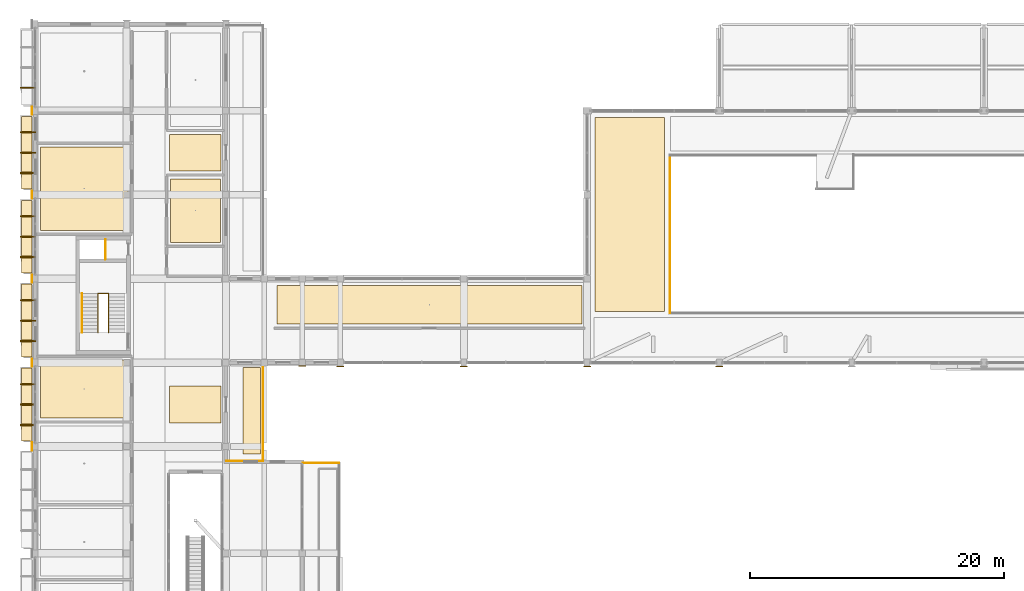
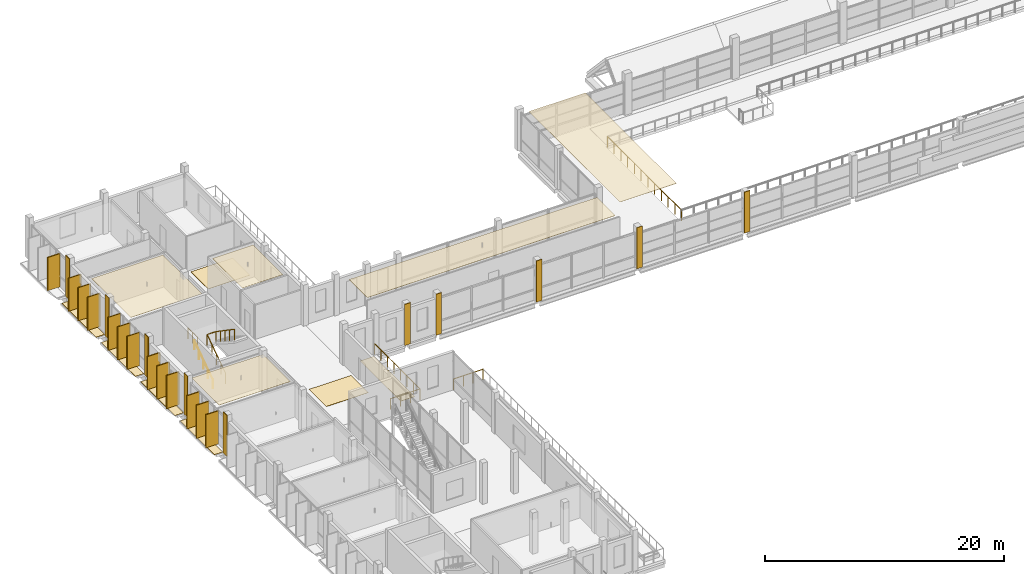
# One storey, part 76 of 85: 35 coverings, 13 shading devices, 7 railings.
"""IFC4 building model written with IfcOpenShell, lengths in metres."""

import ifcopenshell
import ifcopenshell.guid

model = None  # the IFC model being written
_history = None  # IfcOwnerHistory: only IFC2X3 demands one
_inside = {}  # id of a spatial element -> (the spatial element, [elements in it])
_under = {}  # id of a project, library or spatial element -> (it, [spatial elements below it])
_declared = {}  # id of a project -> (the project, [libraries it declares])
_typed = {}  # id of a type object -> (the type object, [elements of that type])
_made_of = {}  # id of a material, layer set ... -> (it, [elements and type objects made of it])


def new_model(schema):
    """Start an empty IFC model of exactly this schema.

    Asked for "IFC4X3", IfcOpenShell would pick the latest addendum, in which some entities
    have other attributes; the version numbers below select the first issue.
    IFC2X3 requires an IfcOwnerHistory on every rooted entity: one is made here for all.
    """
    global model, _history
    if schema == "IFC4X3":
        model = ifcopenshell.file(schema_version=(4, 3, 0, 0))
    else:
        model = ifcopenshell.file(schema=schema)
    _inside.clear()
    _under.clear()
    _declared.clear()
    _typed.clear()
    _made_of.clear()
    _history = None
    if model.schema == "IFC2X3":
        org = make("IfcOrganization", Name="unknown")
        user = make(
            "IfcPersonAndOrganization",
            ThePerson=make("IfcPerson", FamilyName="unknown"),
            TheOrganization=org,
        )
        app = make(
            "IfcApplication",
            ApplicationDeveloper=org,
            Version="unknown",
            ApplicationFullName="unknown",
            ApplicationIdentifier="unknown",
        )
        _history = make(
            "IfcOwnerHistory",
            OwningUser=user,
            OwningApplication=app,
            ChangeAction="ADDED",
            CreationDate=0,
        )
    return model


def make(cls, **values):
    """One entity of the class cls with the attributes given. An attribute that is None is left unset."""
    return model.create_entity(
        cls, **{name: value for name, value in values.items() if value is not None}
    )


def rooted(cls, **values):
    """An entity with a GlobalId (a new one), such as an element, a storey or a relation."""
    return make(cls, GlobalId=ifcopenshell.guid.new(), OwnerHistory=_history, **values)


def si_unit(unit_type, name, prefix=None):
    """IfcSIUnit, for example si_unit("LENGTHUNIT", "METRE", prefix="MILLI")."""
    return make("IfcSIUnit", UnitType=unit_type, Prefix=prefix, Name=name)


def derived_unit(unit_type, elements):
    """IfcDerivedUnit: a product of units, each with its exponent."""
    return make(
        "IfcDerivedUnit",
        Elements=[
            make("IfcDerivedUnitElement", Unit=unit, Exponent=power)
            for unit, power in elements
        ],
        UnitType=unit_type,
    )


def assignment(units):
    """IfcUnitAssignment: the units of a project."""
    return None if units is None else make("IfcUnitAssignment", Units=units)


def point(xyz):
    """IfcCartesianPoint."""
    return None if xyz is None else make("IfcCartesianPoint", Coordinates=xyz)


def direction(xyz):
    """IfcDirection."""
    return None if xyz is None else make("IfcDirection", DirectionRatios=xyz)


def frame(location, z_axis=None, x_axis=None):
    """IfcAxis2Placement3D, a coordinate frame: its origin and axes. An axis left out is left unset."""
    return make(
        "IfcAxis2Placement3D",
        Location=point(location),
        Axis=direction(z_axis),
        RefDirection=direction(x_axis),
    )


def frame_2d(location, x_axis=None):
    """IfcAxis2Placement2D, a coordinate frame in the plane: its origin and x axis."""
    return make(
        "IfcAxis2Placement2D", Location=point(location), RefDirection=direction(x_axis)
    )


def origin():
    """The frame at (0, 0, 0) with its axes left unset."""
    return frame((0.0, 0.0, 0.0))


def origin_2d():
    """The frame at (0, 0) in the plane with its x axis left unset."""
    return frame_2d((0.0, 0.0))


def place(relative_to, where):
    """IfcLocalPlacement: puts the frame where relative to a parent placement (None: the world)."""
    return make(
        "IfcLocalPlacement", PlacementRelTo=relative_to, RelativePlacement=where
    )


def context(
    kind, dimensions, precision=None, world=None, true_north=None, identifier=None
):
    """IfcGeometricRepresentationContext, for example the 3D "Model" context."""
    return make(
        "IfcGeometricRepresentationContext",
        ContextIdentifier=identifier,
        ContextType=kind,
        CoordinateSpaceDimension=dimensions,
        Precision=precision,
        WorldCoordinateSystem=world,
        TrueNorth=true_north,
    )


def subcontext(parent, identifier, kind, view, scale=None):
    """IfcGeometricRepresentationSubContext, for example "Body" below "Model"."""
    return make(
        "IfcGeometricRepresentationSubContext",
        ContextIdentifier=identifier,
        ContextType=kind,
        ParentContext=parent,
        TargetScale=scale,
        TargetView=view,
    )


def project(units=None, contexts=None):
    """IfcProject with its units and contexts."""
    return rooted(
        "IfcProject",
        Name="project",
        RepresentationContexts=contexts,
        UnitsInContext=assignment(units),
    )


def spatial(cls, under=None, at=None, **own):
    """A site, building, storey or space (cls), placed at a placement, below another one or the project."""
    s = rooted(cls, ObjectPlacement=at, **own)
    if under is not None:
        _under.setdefault(under.id(), (under, []))[1].append(s)
    return s


def polyline(points):
    """IfcPolyline through the points."""
    return make("IfcPolyline", Points=[point(p) for p in points])


def profile(cls, at=None, kind="AREA", **sizes):
    """A parametric profile (cls). Its sizes go by their IFC names, for example OverallWidth=200.0."""
    return make(cls, ProfileType=kind, Position=at, **sizes)


def rectangle(**sizes):
    """IfcRectangleProfileDef."""
    return profile("IfcRectangleProfileDef", **sizes)


def circle(**sizes):
    """IfcCircleProfileDef."""
    return profile("IfcCircleProfileDef", **sizes)


def outline(outer, holes=None, kind="AREA"):
    """IfcArbitraryClosedProfileDef: a profile drawn as a closed curve; with holes, ...WithVoids."""
    if holes is None:
        return make("IfcArbitraryClosedProfileDef", ProfileType=kind, OuterCurve=outer)
    return make(
        "IfcArbitraryProfileDefWithVoids",
        ProfileType=kind,
        OuterCurve=outer,
        InnerCurves=holes,
    )


def extrude(swept, where, along, depth):
    """IfcExtrudedAreaSolid: the profile swept, set in the frame where, extruded along a direction by depth."""
    return make(
        "IfcExtrudedAreaSolid",
        SweptArea=swept,
        Position=where,
        ExtrudedDirection=direction(along),
        Depth=depth,
    )


def shape(context_of_items, identifier, shape_type, items):
    """IfcShapeRepresentation: the items that make up one representation, for example the "Body"."""
    return make(
        "IfcShapeRepresentation",
        ContextOfItems=context_of_items,
        RepresentationIdentifier=identifier,
        RepresentationType=shape_type,
        Items=items,
    )


def material(Name=None, Category=None):
    """IfcMaterial."""
    return make("IfcMaterial", Name=Name, Category=Category)


def layer(
    of_material, thickness, ventilated=None, Name=None, Category=None, Priority=None
):
    """IfcMaterialLayer: one layer of a wall or slab, of a material (None: an air gap)."""
    return make(
        "IfcMaterialLayer",
        Material=of_material,
        LayerThickness=thickness,
        IsVentilated=ventilated,
        Name=Name,
        Category=Category,
        Priority=Priority,
    )


def layer_set(layers, Name=None):
    """IfcMaterialLayerSet."""
    return make("IfcMaterialLayerSet", MaterialLayers=layers, LayerSetName=Name)


def made_of(thing, what):
    """Note that an element or type object is made of a material, layer set ...; save() writes the relation."""
    if what is not None:
        _made_of.setdefault(what.id(), (what, []))[1].append(thing)
    return thing


def type_object(cls, material=None, **own):
    """A type object (cls), such as IfcWallType, which elements share."""
    return made_of(rooted(cls, **own), material)


def element(
    cls,
    number,
    at=None,
    inside=None,
    cuts=None,
    type_object=None,
    material=None,
    context=None,
    identifier="Body",
    shape_type=None,
    held_by="IfcProductDefinitionShape",
    body=None,
    shapes=None,
    **own,
):
    """One element of the class cls, such as IfcWall. Its Tag is "e" and its number.

    at: its placement. inside: the storey or other place that contains it. cuts: it is an
    opening in that element (IfcRelVoidsElement). A single representation is given by context,
    identifier, shape_type and body (its items); several are given by shapes. held_by: the class
    of the entity that holds the representations. save() writes the other relations.
    """
    e = rooted(cls, Tag="e%d" % number, ObjectPlacement=at, **own)
    if body is not None:
        shapes = [shape(context, identifier, shape_type, body)]
    if shapes is not None:
        e.Representation = make(held_by, Representations=shapes)
    if inside is not None:
        _inside.setdefault(inside.id(), (inside, []))[1].append(e)
    if cuts is not None:
        rooted(
            "IfcRelVoidsElement", RelatingBuildingElement=cuts, RelatedOpeningElement=e
        )
    if type_object is not None:
        _typed.setdefault(type_object.id(), (type_object, []))[1].append(e)
    return made_of(e, material)


def aggregate(whole, parts):
    """IfcRelAggregates: a whole, such as a stair, and the parts it consists of."""
    return rooted("IfcRelAggregates", RelatingObject=whole, RelatedObjects=parts)


def save(model, path):
    """Write the relations noted so far, then the file.

    IfcRelAggregates (storeys below a building ...), IfcRelContainedInSpatialStructure (elements
    in a storey), IfcRelDefinesByType, IfcRelAssociatesMaterial and IfcRelDeclares: one each for
    every whole, place, type object, material and project.
    """
    for whole, parts in _under.values():
        aggregate(whole, parts)
    for where, things in _inside.values():
        rooted(
            "IfcRelContainedInSpatialStructure",
            RelatedElements=things,
            RelatingStructure=where,
        )
    for kind, things in _typed.values():
        rooted("IfcRelDefinesByType", RelatedObjects=things, RelatingType=kind)
    for what, things in _made_of.values():
        rooted("IfcRelAssociatesMaterial", RelatedObjects=things, RelatingMaterial=what)
    for by, libraries in _declared.values():
        rooted("IfcRelDeclares", RelatingContext=by, RelatedDefinitions=libraries)
    model.write(path)


model = new_model("IFC4")

# Units and contexts
model_context = context("Model", 3, precision=1e-05, world=origin(), true_north=direction((0.0, 1.0)))
body_context = subcontext(model_context, "Body", "Model", "MODEL_VIEW")
ifc_project = project(units=[si_unit("LENGTHUNIT", "METRE"), si_unit("AREAUNIT", "SQUARE_METRE"), si_unit("VOLUMEUNIT", "CUBIC_METRE"), si_unit("PLANEANGLEUNIT", "RADIAN"), si_unit("MASSUNIT", "GRAM", prefix="KILO"), derived_unit("THERMALTRANSMITTANCEUNIT", [(si_unit("POWERUNIT", "WATT"), 1), (si_unit("LENGTHUNIT", "METRE"), -2), (si_unit("THERMODYNAMICTEMPERATUREUNIT", "KELVIN"), -1)])], contexts=[model_context])

# Site, building, storey
site_placement = place(None, origin())
site = spatial("IfcSite", under=ifc_project, at=site_placement, CompositionType="ELEMENT")
building_placement = place(site_placement, origin())
building = spatial("IfcBuilding", under=site, at=building_placement, Name="Braskholm Square Health Centre", CompositionType="ELEMENT")
storey_placement = place(building_placement, frame((0.0, 0.0, 9.300048828125)))
storey = spatial("IfcBuildingStorey", under=building, at=storey_placement, Name="L03", CompositionType="ELEMENT", Elevation=9.300048828125)

# Coverings
ifc_material_1 = material(Name="Fire-rated gypsum board barrier")
ifc_layer_1 = layer(ifc_material_1, 0.02490234375)
ifc_layer_set_1 = layer_set([ifc_layer_1], Name="Fire-rated gypsum board barrier")
covering_type_1 = type_object("IfcCoveringType", Name="AcousticClinicalCeilingTile", PredefinedType="CEILING", material=ifc_layer_set_1)
covering_1_placement = place(storey_placement, frame((0.0, 0.0, 3.46484375)))
element("IfcCovering", 1, at=covering_1_placement, inside=storey, type_object=covering_type_1, Name="Acoustic ceiling L03-080", PredefinedType="CEILING", context=body_context, shape_type="SweptSolid", body=[
    extrude(outline(polyline([(4.6201171875, 82.830078125), (11.5, 82.830078125), (11.5, 87.39990234375), (4.6201171875, 87.39990234375), (4.6201171875, 82.830078125)])), origin(), (0.0, 0.0, 1.0), 0.025146484375),
])
covering_2_placement = place(storey_placement, frame((0.0, 0.0, 3.46484375)))
element("IfcCovering", 2, at=covering_2_placement, inside=storey, type_object=covering_type_1, Name="Acoustic ceiling L03-081", PredefinedType="CEILING", context=body_context, shape_type="SweptSolid", body=[
    extrude(outline(polyline([(4.6201171875, 97.60009765625), (11.5, 97.60009765625), (11.5, 104.159912109375), (4.6201171875, 104.159912109375), (4.6201171875, 97.60009765625)])), origin(), (0.0, 0.0, 1.0), 0.025146484375),
])
covering_3_placement = place(storey_placement, frame((0.0, 0.0, 3.454833984375)))
element("IfcCovering", 3, at=covering_3_placement, inside=storey, type_object=covering_type_1, Name="Acoustic ceiling L03-085", PredefinedType="CEILING", context=body_context, shape_type="SweptSolid", body=[
    extrude(outline(polyline([(23.219970703125, 90.219970703125), (47.179931640625, 90.219970703125), (47.179931640625, 93.280029296875), (23.219970703125, 93.280029296875), (23.219970703125, 90.219970703125)])), origin(), (0.0, 0.0, 1.0), 0.025146484375),
])
covering_4_placement = place(storey_placement, frame((0.0, 0.0, 3.46484375)))
element("IfcCovering", 4, at=covering_4_placement, inside=storey, type_object=covering_type_1, Name="Acoustic ceiling L03-095", PredefinedType="CEILING", context=body_context, shape_type="SweptSolid", body=[
    extrude(outline(polyline([(14.85009765625, 96.64990234375), (18.780029296875, 96.64990234375), (18.780029296875, 101.64990234375), (14.85009765625, 101.64990234375), (14.85009765625, 96.64990234375)])), origin(), (0.0, 0.0, 1.0), 0.025146484375),
])
covering_5_placement = place(storey_placement, frame((0.0, 0.0, 3.864990234375)))
element("IfcCovering", 5, at=covering_5_placement, inside=storey, type_object=covering_type_1, Name="Acoustic ceiling L03-304", PredefinedType="CEILING", context=body_context, shape_type="SweptSolid", body=[
    extrude(outline(polyline([(48.219970703125, 91.219970703125), (53.679931640625, 91.219970703125), (53.679931640625, 106.47998046875), (48.219970703125, 106.47998046875), (48.219970703125, 91.219970703125)])), origin(), (0.0, 0.0, 1.0), 0.02490234375),
])

# Railings
ifc_material_2 = material(Name="Dark patinated chevron architectural bronze", Category="aluminium")
railing_type_1 = type_object("IfcRailingType", Name="BronzeChevronGuardrail1100", PredefinedType="GUARDRAIL", material=ifc_material_2)
railing_1_placement = place(storey_placement, frame((9.719970703125, 95.320068359375, 0.0)))
element("IfcRailing", 6, at=railing_1_placement, inside=storey, type_object=railing_type_1, Name="Core K3 riser shaft maintenance guard L03", PredefinedType="GUARDRAIL", context=body_context, shape_type="SweptSolid", body=[
    extrude(circle(Radius=0.02392578125, at=origin_2d()), frame((0.0, 0.0, 1.076171875), z_axis=(0.0, 1.0, 0.0), x_axis=(-1.0, 0.0, 0.0)), (0.0, 0.0, 1.0), 1.559814453125),
    extrude(circle(Radius=0.02099609375, at=origin_2d()), origin(), (0.0, 0.0, 1.0), 1.052001953125),
    extrude(circle(Radius=0.02099609375, at=origin_2d()), frame((0.0, 0.77978515625, 0.0)), (0.0, 0.0, 1.0), 1.052001953125),
    extrude(circle(Radius=0.02099609375, at=origin_2d()), frame((0.0, 1.559814453125, 0.0)), (0.0, 0.0, 1.0), 1.052001953125),
])
railing_2_placement = place(storey_placement, frame((9.1298828125, 89.56005859375, 0.0)))
element("IfcRailing", 7, at=railing_2_placement, inside=storey, type_object=railing_type_1, Name="Stair ST-03 inner well guardrail L03", PredefinedType="GUARDRAIL", context=body_context, shape_type="SweptSolid", body=[
    extrude(circle(Radius=0.02392578125, at=origin_2d()), frame((0.0, 0.0, 1.076171875), z_axis=(0.0, 0.826231499792, 0.563330727682), x_axis=(-1.0, 0.0, 0.0)), (0.0, 0.0, 1.0), 3.7275390625),
    extrude(circle(Radius=0.02392578125, at=origin_2d()), frame((0.0, 3.079833984375, 3.17578125), z_axis=(1.0, 0.0, 0.0), x_axis=(0.0, 1.0, 0.0)), (0.0, 0.0, 1.0), 0.840087890625),
    extrude(circle(Radius=0.02392578125, at=origin_2d()), frame((0.840087890625, 3.079833984375, 3.17578125), z_axis=(0.0, -0.826201015165, 0.563375436579), x_axis=(1.0, 0.0, 0.0)), (0.0, 0.0, 1.0), 3.727783203125),
    extrude(circle(Radius=0.02099609375, at=origin_2d()), origin(), (0.0, 0.0, 1.0), 1.052001953125),
    extrude(circle(Radius=0.02099609375, at=origin_2d()), frame((0.0, 0.77001953125, 0.52490234375)), (0.0, 0.0, 1.0), 1.052001953125),
    extrude(circle(Radius=0.02099609375, at=origin_2d()), frame((0.0, 1.5400390625, 1.0498046875)), (0.0, 0.0, 1.0), 1.052001953125),
    extrude(circle(Radius=0.02099609375, at=origin_2d()), frame((0.0, 2.309814453125, 1.574951171875)), (0.0, 0.0, 1.0), 1.052001953125),
    extrude(circle(Radius=0.02099609375, at=origin_2d()), frame((0.0, 3.079833984375, 2.099853515625)), (0.0, 0.0, 1.0), 1.052001953125),
    extrude(circle(Radius=0.02099609375, at=origin_2d()), frame((0.840087890625, 3.079833984375, 2.099853515625)), (0.0, 0.0, 1.0), 1.052001953125),
    extrude(circle(Radius=0.02099609375, at=origin_2d()), frame((0.840087890625, 2.309814453125, 2.625)), (0.0, 0.0, 1.0), 1.052001953125),
    extrude(circle(Radius=0.02099609375, at=origin_2d()), frame((0.840087890625, 1.5400390625, 3.14990234375)), (0.0, 0.0, 1.0), 1.052001953125),
    extrude(circle(Radius=0.02099609375, at=origin_2d()), frame((0.840087890625, 0.77001953125, 3.6748046875)), (0.0, 0.0, 1.0), 1.052001953125),
    extrude(circle(Radius=0.02099609375, at=origin_2d()), frame((0.840087890625, 0.0, 4.199951171875)), (0.0, 0.0, 1.0), 1.052001953125),
])
railing_3_placement = place(storey_placement, frame((28.10009765625, 79.300048828125, 0.0)))
element("IfcRailing", 8, at=railing_3_placement, inside=storey, type_object=railing_type_1, Name="Bronze chevron guardrail 0027 L03", PredefinedType="GUARDRAIL", context=body_context, shape_type="SweptSolid", body=[
    extrude(circle(Radius=0.02392578125, at=origin_2d()), frame((0.0, 0.0, 1.076171875), z_axis=(-1.0, 0.0, 0.0), x_axis=(0.0, -1.0, 0.0)), (0.0, 0.0, 1.0), 2.85009765625),
    extrude(circle(Radius=0.02099609375, at=origin_2d()), origin(), (0.0, 0.0, 1.0), 1.052001953125),
    extrude(circle(Radius=0.02099609375, at=origin_2d()), frame((-0.949951171875, 0.0, 0.0)), (0.0, 0.0, 1.0), 1.052001953125),
    extrude(circle(Radius=0.02099609375, at=origin_2d()), frame((-1.900146484375, 0.0, 0.0)), (0.0, 0.0, 1.0), 1.052001953125),
    extrude(circle(Radius=0.02099609375, at=origin_2d()), frame((-2.85009765625, 0.0, 0.0)), (0.0, 0.0, 1.0), 1.052001953125),
])
railing_4_placement = place(storey_placement, frame((19.25, 79.449951171875, 0.0)))
element("IfcRailing", 9, at=railing_4_placement, inside=storey, type_object=railing_type_1, Name="Bronze chevron guardrail 0028 L03", PredefinedType="GUARDRAIL", context=body_context, shape_type="SweptSolid", body=[
    extrude(circle(Radius=0.02392578125, at=origin_2d()), frame((0.0, 0.0, 1.076171875), z_axis=(1.0, 0.0, 0.0), x_axis=(0.0, 1.0, 0.0)), (0.0, 0.0, 1.0), 2.85009765625),
    extrude(circle(Radius=0.02099609375, at=origin_2d()), origin(), (0.0, 0.0, 1.0), 1.052001953125),
    extrude(circle(Radius=0.02099609375, at=origin_2d()), frame((0.949951171875, 0.0, 0.0)), (0.0, 0.0, 1.0), 1.052001953125),
    extrude(circle(Radius=0.02099609375, at=origin_2d()), frame((1.900146484375, 0.0, 0.0)), (0.0, 0.0, 1.0), 1.052001953125),
    extrude(circle(Radius=0.02099609375, at=origin_2d()), frame((2.85009765625, 0.0, 0.0)), (0.0, 0.0, 1.0), 1.052001953125),
])
railing_5_placement = place(storey_placement, frame((22.10009765625, 79.449951171875, 0.0)))
element("IfcRailing", 10, at=railing_5_placement, inside=storey, type_object=railing_type_1, Name="Bronze chevron guardrail 0029 L03", PredefinedType="GUARDRAIL", context=body_context, shape_type="SweptSolid", body=[
    extrude(circle(Radius=0.02392578125, at=origin_2d()), frame((0.0, 0.0, 1.076171875), z_axis=(0.0, 1.0, 0.0), x_axis=(-1.0, 0.0, 0.0)), (0.0, 0.0, 1.0), 7.650146484375),
    extrude(circle(Radius=0.02099609375, at=origin_2d()), origin(), (0.0, 0.0, 1.0), 1.052001953125),
    extrude(circle(Radius=0.02099609375, at=origin_2d()), frame((0.0, 1.0927734375, 0.0)), (0.0, 0.0, 1.0), 1.052001953125),
    extrude(circle(Radius=0.02099609375, at=origin_2d()), frame((0.0, 2.185791015625, 0.0)), (0.0, 0.0, 1.0), 1.052001953125),
    extrude(circle(Radius=0.02099609375, at=origin_2d()), frame((0.0, 3.278564453125, 0.0)), (0.0, 0.0, 1.0), 1.052001953125),
    extrude(circle(Radius=0.02099609375, at=origin_2d()), frame((0.0, 4.37158203125, 0.0)), (0.0, 0.0, 1.0), 1.052001953125),
    extrude(circle(Radius=0.02099609375, at=origin_2d()), frame((0.0, 5.46435546875, 0.0)), (0.0, 0.0, 1.0), 1.052001953125),
    extrude(circle(Radius=0.02099609375, at=origin_2d()), frame((0.0, 6.557373046875, 0.0)), (0.0, 0.0, 1.0), 1.052001953125),
    extrude(circle(Radius=0.02099609375, at=origin_2d()), frame((0.0, 7.650146484375, 0.0)), (0.0, 0.0, 1.0), 1.052001953125),
])
railing_6_placement = place(storey_placement, frame((54.10009765625, 91.10009765625, 0.0)))
element("IfcRailing", 11, at=railing_6_placement, inside=storey, type_object=railing_type_1, Name="Bronze chevron guardrail 0066 L03", PredefinedType="GUARDRAIL", context=body_context, shape_type="SweptSolid", body=[
    extrude(circle(Radius=0.02392578125, at=origin_2d()), frame((0.0, 0.0, 1.076171875), z_axis=(0.0, 1.0, 0.0), x_axis=(-1.0, 0.0, 0.0)), (0.0, 0.0, 1.0), 12.39990234375),
    extrude(circle(Radius=0.02099609375, at=origin_2d()), origin(), (0.0, 0.0, 1.0), 1.052001953125),
    extrude(circle(Radius=0.02099609375, at=origin_2d()), frame((0.0, 1.127197265625, 0.0)), (0.0, 0.0, 1.0), 1.052001953125),
    extrude(circle(Radius=0.02099609375, at=origin_2d()), frame((0.0, 2.254638671875, 0.0)), (0.0, 0.0, 1.0), 1.052001953125),
    extrude(circle(Radius=0.02099609375, at=origin_2d()), frame((0.0, 3.3818359375, 0.0)), (0.0, 0.0, 1.0), 1.052001953125),
    extrude(circle(Radius=0.02099609375, at=origin_2d()), frame((0.0, 4.509033203125, 0.0)), (0.0, 0.0, 1.0), 1.052001953125),
    extrude(circle(Radius=0.02099609375, at=origin_2d()), frame((0.0, 5.63623046875, 0.0)), (0.0, 0.0, 1.0), 1.052001953125),
    extrude(circle(Radius=0.02099609375, at=origin_2d()), frame((0.0, 6.763671875, 0.0)), (0.0, 0.0, 1.0), 1.052001953125),
    extrude(circle(Radius=0.02099609375, at=origin_2d()), frame((0.0, 7.890869140625, 0.0)), (0.0, 0.0, 1.0), 1.052001953125),
    extrude(circle(Radius=0.02099609375, at=origin_2d()), frame((0.0, 9.01806640625, 0.0)), (0.0, 0.0, 1.0), 1.052001953125),
    extrude(circle(Radius=0.02099609375, at=origin_2d()), frame((0.0, 10.145263671875, 0.0)), (0.0, 0.0, 1.0), 1.052001953125),
    extrude(circle(Radius=0.02099609375, at=origin_2d()), frame((0.0, 11.272705078125, 0.0)), (0.0, 0.0, 1.0), 1.052001953125),
    extrude(circle(Radius=0.02099609375, at=origin_2d()), frame((0.0, 12.39990234375, 0.0)), (0.0, 0.0, 1.0), 1.052001953125),
])

# Shading devices
ifc_material_3 = material(Name="Thermally modified western red cedar with bronze trim", Category="wood")
shading_device_type = type_object("IfcShadingDeviceType", Name="CedarBronzeShadingFin1250", PredefinedType="USERDEFINED", material=ifc_material_3)
for number, where, z_axis, x_axis, name in (
    (12, (3.635009765625, 82.300048828125, 0.0), (0.0, 0.0, 1.0), (1.0, 0.0, 0.0), "Warm cedar-bronze vertical shading slat 0088"),
    (13, (3.635009765625, 83.89990234375, 0.0), (0.0, 0.0, 1.0), (1.0, 0.0, 0.0), "Warm cedar-bronze vertical shading slat 0089"),
    (14, (3.635009765625, 85.5, 0.0), (0.0, 0.0, 1.0), (1.0, 0.0, 0.0), "Warm cedar-bronze vertical shading slat 0090"),
    (15, (3.635009765625, 88.89990234375, 0.0), (0.0, 0.0, 1.0), (1.0, 0.0, 0.0), "Warm cedar-bronze vertical shading slat 0091"),
    (16, (3.635009765625, 90.5, 0.0), (0.0, 0.0, 1.0), (1.0, 0.0, 0.0), "Warm cedar-bronze vertical shading slat 0092"),
    (17, (3.635009765625, 92.10009765625, 0.0), (0.0, 0.0, 1.0), (1.0, 0.0, 0.0), "Warm cedar-bronze vertical shading slat 0093"),
    (18, (3.635009765625, 95.5, 0.0), (0.0, 0.0, 1.0), (1.0, 0.0, 0.0), "Warm cedar-bronze vertical shading slat 0094"),
    (19, (3.635009765625, 97.10009765625, 0.0), (0.0, 0.0, 1.0), (1.0, 0.0, 0.0), "Warm cedar-bronze vertical shading slat 0095"),
    (20, (3.635009765625, 98.699951171875, 0.0), (0.0, 0.0, 1.0), (1.0, 0.0, 0.0), "Warm cedar-bronze vertical shading slat 0096"),
    (21, (3.635009765625, 102.10009765625, 0.0), (0.0, 0.0, 1.0), (1.0, 0.0, 0.0), "Warm cedar-bronze vertical shading slat 0097"),
    (22, (3.635009765625, 103.699951171875, 0.0), (0.0, 0.0, 1.0), (1.0, 0.0, 0.0), "Warm cedar-bronze vertical shading slat 0098"),
    (23, (3.635009765625, 105.300048828125, 0.0), (0.0, 0.0, 1.0), (1.0, 0.0, 0.0), "Warm cedar-bronze vertical shading slat 0099"),
    (24, (3.635009765625, 108.800048828125, 0.0), (0.0, 0.0, 1.0), (1.0, 0.0, 0.0), "Warm cedar-bronze vertical shading slat 0100"),
):
    element("IfcShadingDevice", number, at=place(storey_placement, frame(where, z_axis=z_axis, x_axis=x_axis)), inside=storey, type_object=shading_device_type, Name=name, ObjectType="FIN", PredefinedType="USERDEFINED", context=body_context, shape_type="SweptSolid", body=[
        extrude(rectangle(XDim=1.25, YDim=0.0849609375, at=origin_2d()), origin(), (0.0, 0.0, 1.0), 3.39990234375),
    ])

# Coverings
ifc_layer_2 = layer(ifc_material_3, 0.0849609375)
ifc_layer_set_2 = layer_set([ifc_layer_2], Name="Thermally modified western red cedar with bronze trim")
covering_type_2 = type_object("IfcCoveringType", Name="CedarBronzeSlatCladding", PredefinedType="CLADDING", material=ifc_layer_set_2)
for number, where, z_axis, x_axis, name in (
    (25, (3.6298828125, 82.300048828125, 0.0), (0.0, 0.0, 1.0), (1.0, 0.0, 0.0), "Cedar-bronze shading slat trim 0510"),
    (26, (3.6298828125, 83.89990234375, 0.0), (0.0, 0.0, 1.0), (1.0, 0.0, 0.0), "Cedar-bronze shading slat trim 0511"),
    (27, (3.6298828125, 85.5, 0.0), (0.0, 0.0, 1.0), (1.0, 0.0, 0.0), "Cedar-bronze shading slat trim 0512"),
    (28, (3.6298828125, 88.89990234375, 0.0), (0.0, 0.0, 1.0), (1.0, 0.0, 0.0), "Cedar-bronze shading slat trim 0514"),
    (29, (3.6298828125, 90.5, 0.0), (0.0, 0.0, 1.0), (1.0, 0.0, 0.0), "Cedar-bronze shading slat trim 0515"),
    (30, (3.6298828125, 92.10009765625, 0.0), (0.0, 0.0, 1.0), (1.0, 0.0, 0.0), "Cedar-bronze shading slat trim 0516"),
    (31, (3.6298828125, 95.5, 0.0), (0.0, 0.0, 1.0), (1.0, 0.0, 0.0), "Cedar-bronze shading slat trim 0518"),
    (32, (3.6298828125, 97.10009765625, 0.0), (0.0, 0.0, 1.0), (1.0, 0.0, 0.0), "Cedar-bronze shading slat trim 0519"),
    (33, (3.6298828125, 98.699951171875, 0.0), (0.0, 0.0, 1.0), (1.0, 0.0, 0.0), "Cedar-bronze shading slat trim 0520"),
    (34, (3.6298828125, 102.10009765625, 0.0), (0.0, 0.0, 1.0), (1.0, 0.0, 0.0), "Cedar-bronze shading slat trim 0522"),
    (35, (3.6298828125, 103.699951171875, 0.0), (0.0, 0.0, 1.0), (1.0, 0.0, 0.0), "Cedar-bronze shading slat trim 0523"),
    (36, (3.6298828125, 105.300048828125, 0.0), (0.0, 0.0, 1.0), (1.0, 0.0, 0.0), "Cedar-bronze shading slat trim 0524"),
    (37, (3.6298828125, 108.800048828125, 0.0), (0.0, 0.0, 1.0), (1.0, 0.0, 0.0), "Cedar-bronze shading slat trim 0526"),
):
    element("IfcCovering", number, at=place(storey_placement, frame(where, z_axis=z_axis, x_axis=x_axis)), inside=storey, type_object=covering_type_2, Name=name, PredefinedType="CLADDING", context=body_context, shape_type="SweptSolid", body=[
        extrude(rectangle(XDim=1.179931640625, YDim=0.094970703125, at=origin_2d()), origin(), (0.0, 0.0, 1.0), 3.39990234375),
    ])
ifc_material_4 = material(Name="Intensive botanical sedum and native prairie garden bed")
ifc_layer_3 = layer(ifc_material_4, 0.02490234375)
ifc_layer_set_3 = layer_set([ifc_layer_3], Name="Intensive botanical sedum and native prairie garden bed")
covering_type_3 = type_object("IfcCoveringType", Name="PlantedTerraceGardenBed", PredefinedType="ROOFING", material=ifc_layer_set_3)
covering_6_placement = place(storey_placement, origin())
element("IfcCovering", 38, at=covering_6_placement, inside=storey, type_object=covering_type_3, Name="West floor planter ledge sedum strip 0513", PredefinedType="ROOFING", context=body_context, shape_type="SweptSolid", body=[
    extrude(outline(polyline([(3.1201171875, 81.0400390625), (3.949951171875, 81.0400390625), (3.949951171875, 86.760009765625), (3.1201171875, 86.760009765625), (3.1201171875, 81.0400390625)])), origin(), (0.0, 0.0, 1.0), 0.02490234375),
])
covering_7_placement = place(storey_placement, origin())
element("IfcCovering", 39, at=covering_7_placement, inside=storey, type_object=covering_type_3, Name="West floor planter ledge sedum strip 0517", PredefinedType="ROOFING", context=body_context, shape_type="SweptSolid", body=[
    extrude(outline(polyline([(3.1201171875, 87.639892578125), (3.949951171875, 87.639892578125), (3.949951171875, 93.360107421875), (3.1201171875, 93.360107421875), (3.1201171875, 87.639892578125)])), origin(), (0.0, 0.0, 1.0), 0.02490234375),
])
covering_8_placement = place(storey_placement, origin())
element("IfcCovering", 40, at=covering_8_placement, inside=storey, type_object=covering_type_3, Name="West floor planter ledge sedum strip 0521", PredefinedType="ROOFING", context=body_context, shape_type="SweptSolid", body=[
    extrude(outline(polyline([(3.1201171875, 94.239990234375), (3.949951171875, 94.239990234375), (3.949951171875, 99.9599609375), (3.1201171875, 99.9599609375), (3.1201171875, 94.239990234375)])), origin(), (0.0, 0.0, 1.0), 0.02490234375),
])
covering_9_placement = place(storey_placement, origin())
element("IfcCovering", 41, at=covering_9_placement, inside=storey, type_object=covering_type_3, Name="West floor planter ledge sedum strip 0525", PredefinedType="ROOFING", context=body_context, shape_type="SweptSolid", body=[
    extrude(outline(polyline([(3.1201171875, 100.840087890625), (3.949951171875, 100.840087890625), (3.949951171875, 106.56005859375), (3.1201171875, 106.56005859375), (3.1201171875, 100.840087890625)])), origin(), (0.0, 0.0, 1.0), 0.02490234375),
])
covering_10_placement = place(storey_placement, origin())
element("IfcCovering", 42, at=covering_10_placement, inside=storey, type_object=covering_type_3, Name="Planted therapy terrace garden bed 0910", PredefinedType="ROOFING", context=body_context, shape_type="SweptSolid", body=[
    extrude(outline(polyline([(20.550048828125, 80.0), (21.89990234375, 80.0), (21.89990234375, 86.800048828125), (20.550048828125, 86.800048828125), (20.550048828125, 80.0)])), origin(), (0.0, 0.0, 1.0), 0.02490234375),
])
ifc_material_5 = material(Name="Polished geometric terrazzo flooring", Category="masonry")
ifc_layer_4 = layer(ifc_material_5, 0.02001953125)
ifc_layer_set_4 = layer_set([ifc_layer_4], Name="Polished geometric terrazzo flooring")
covering_type_4 = type_object("IfcCoveringType", Name="PolishedTerrazzoFloorFinish", PredefinedType="FLOORING", material=ifc_layer_set_4)
covering_11_placement = place(storey_placement, origin())
element("IfcCovering", 43, at=covering_11_placement, inside=storey, type_object=covering_type_4, Name="Polished terrazzo floor L03-088", PredefinedType="FLOORING", context=body_context, shape_type="SweptSolid", body=[
    extrude(outline(polyline([(14.780029296875, 82.449951171875), (18.830078125, 82.449951171875), (18.830078125, 85.35009765625), (14.780029296875, 85.35009765625), (14.780029296875, 82.449951171875)])), origin(), (0.0, 0.0, 1.0), 0.02001953125),
])
covering_12_placement = place(storey_placement, origin())
element("IfcCovering", 44, at=covering_12_placement, inside=storey, type_object=covering_type_4, Name="Polished terrazzo floor L03-089", PredefinedType="FLOORING", context=body_context, shape_type="SweptSolid", body=[
    extrude(outline(polyline([(14.780029296875, 102.25), (18.830078125, 102.25), (18.830078125, 105.14990234375), (14.780029296875, 105.14990234375), (14.780029296875, 102.25)])), origin(), (0.0, 0.0, 1.0), 0.02001953125),
])
ifc_material_6 = material(Name="Precast concrete C40/50 architectural white", Category="concrete")
ifc_layer_5 = layer(ifc_material_6, 0.054931640625)
ifc_layer_set_5 = layer_set([ifc_layer_5], Name="Precast concrete C40/50 architectural white")
covering_type_5 = type_object("IfcCoveringType", Name="PrecastWhiteColumnCasing", PredefinedType="CLADDING", material=ifc_layer_set_5)
for number, where, z_axis, x_axis, name in (
    (45, (3.945068359375, 80.60009765625, 0.0), (0.0, 0.0, 1.0), (1.0, 0.0, 0.0), "Giant-order white precast column casing 0102"),
    (46, (3.945068359375, 87.199951171875, 0.0), (0.0, 0.0, 1.0), (1.0, 0.0, 0.0), "Giant-order white precast column casing 0111"),
    (47, (3.945068359375, 93.800048828125, 0.0), (0.0, 0.0, 1.0), (1.0, 0.0, 0.0), "Giant-order white precast column casing 0120"),
    (48, (3.945068359375, 100.39990234375, 0.0), (0.0, 0.0, 1.0), (1.0, 0.0, 0.0), "Giant-order white precast column casing 0129"),
    (49, (3.945068359375, 107.0, 0.0), (0.0, 0.0, 1.0), (1.0, 0.0, 0.0), "Giant-order white precast column casing 0138"),
):
    element("IfcCovering", number, at=place(storey_placement, frame(where, z_axis=z_axis, x_axis=x_axis)), inside=storey, type_object=covering_type_5, Name=name, PredefinedType="CLADDING", context=body_context, shape_type="SweptSolid", body=[
        extrude(rectangle(XDim=0.06005859375, YDim=0.639892578125, at=origin_2d()), origin(), (0.0, 0.0, 1.0), 4.199951171875),
    ])
covering_13_placement = place(storey_placement, frame((25.199951171875, 86.925048828125, 0.0), z_axis=(0.0, 0.0, 1.0), x_axis=(1.0, 0.0, 0.0)))
element("IfcCovering", 50, at=covering_13_placement, inside=storey, type_object=covering_type_5, Name="Giant-order white precast column casing 0184", PredefinedType="CLADDING", context=body_context, shape_type="SweptSolid", body=[
    extrude(rectangle(XDim=0.580078125, YDim=0.06005859375, at=origin_2d()), origin(), (0.0, 0.0, 1.0), 4.199951171875),
])
for number, where, z_axis, x_axis, name in (
    (51, (28.199951171875, 86.89501953125, 0.0), (0.0, 0.0, 1.0), (1.0, 0.0, 0.0), "Giant-order white precast column casing 0187"),
    (52, (37.89990234375, 86.89501953125, 0.0), (0.0, 0.0, 1.0), (1.0, 0.0, 0.0), "Giant-order white precast column casing 0190"),
    (53, (47.60009765625, 86.89501953125, 0.0), (0.0, 0.0, 1.0), (1.0, 0.0, 0.0), "Giant-order white precast column casing 0193"),
    (54, (58.0, 86.89501953125, 0.0), (0.0, 0.0, 1.0), (1.0, 0.0, 0.0), "Giant-order white precast column casing 0196"),
):
    element("IfcCovering", number, at=place(storey_placement, frame(where, z_axis=z_axis, x_axis=x_axis)), inside=storey, type_object=covering_type_5, Name=name, PredefinedType="CLADDING", context=body_context, shape_type="SweptSolid", body=[
        extrude(rectangle(XDim=0.5400390625, YDim=0.06005859375, at=origin_2d()), origin(), (0.0, 0.0, 1.0), 4.199951171875),
    ])

# Railing
railing_type_2 = type_object("IfcRailingType", Name="StairTubularHandrail915", PredefinedType="HANDRAIL", material=ifc_material_2)
railing_7_placement = place(storey_placement, frame((7.89990234375, 89.56005859375, 0.0)))
element("IfcRailing", 55, at=railing_7_placement, inside=storey, type_object=railing_type_2, Name="Stair ST-03 wall handrail F1 L03", PredefinedType="HANDRAIL", context=body_context, shape_type="SweptSolid", body=[
    extrude(circle(Radius=0.02392578125, at=origin_2d()), frame((0.0, 0.0, 0.89111328125), z_axis=(0.0, 0.826231499792, 0.563330727682), x_axis=(-1.0, 0.0, 0.0)), (0.0, 0.0, 1.0), 3.7275390625),
    extrude(circle(Radius=0.02099609375, at=origin_2d()), origin(), (0.0, 0.0, 1.0), 0.866943359375),
    extrude(circle(Radius=0.02099609375, at=origin_2d()), frame((0.0, 0.77001953125, 0.52490234375)), (0.0, 0.0, 1.0), 0.866943359375),
    extrude(circle(Radius=0.02099609375, at=origin_2d()), frame((0.0, 1.5400390625, 1.0498046875)), (0.0, 0.0, 1.0), 0.866943359375),
    extrude(circle(Radius=0.02099609375, at=origin_2d()), frame((0.0, 2.309814453125, 1.574951171875)), (0.0, 0.0, 1.0), 0.866943359375),
    extrude(circle(Radius=0.02099609375, at=origin_2d()), frame((0.0, 3.079833984375, 2.099853515625)), (0.0, 0.0, 1.0), 0.866943359375),
])

save(model, "model.ifc")
